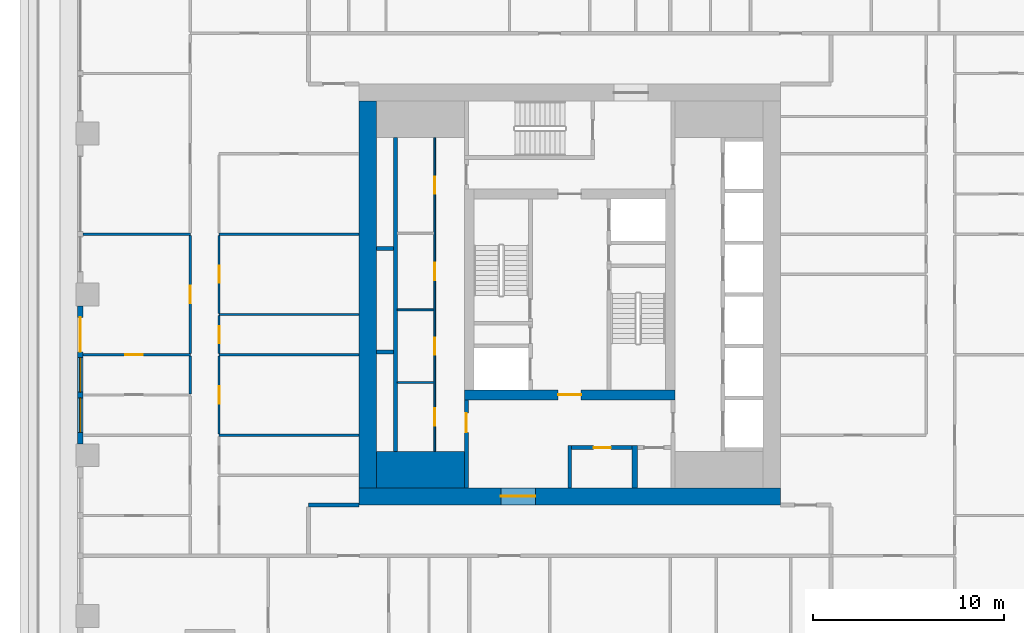
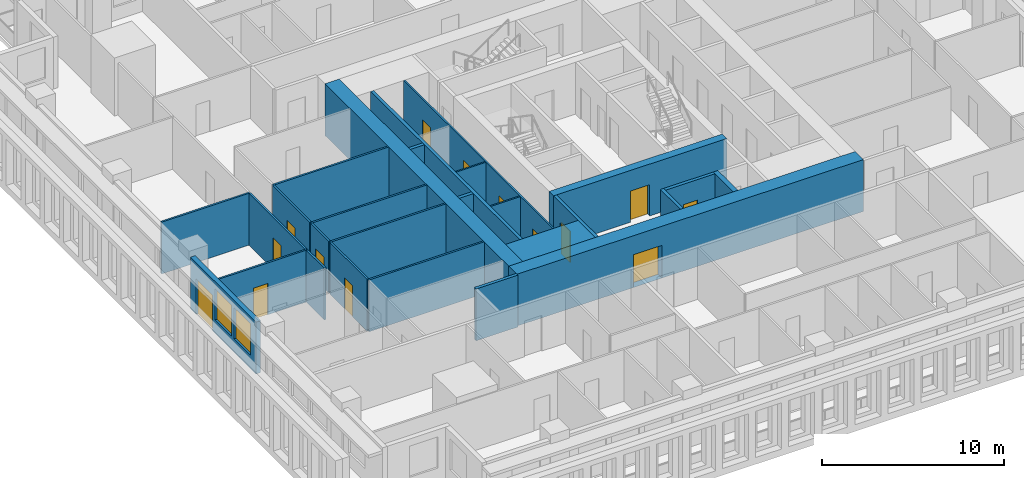
# One storey, part 3 of 16: 27 walls, 14 doors, 2 windows, 16 openings.
"""IFC4 building model written with IfcOpenShell, lengths in metres."""

from ifc_helpers import new_model, si_unit, direction, frame, frame_2d, origin, place, context, subcontext, project, spatial, rectangle, extrude, material, layer, layer_set, type_object, element, fill, save


model = new_model("IFC4")

# Units and contexts
model_context = context("Model", 3, precision=1e-05, world=origin(), true_north=direction((0.0, 1.0)))
body_context = subcontext(model_context, "Body", "Model", "MODEL_VIEW")
ifc_project = project(units=[si_unit("LENGTHUNIT", "METRE"), si_unit("AREAUNIT", "SQUARE_METRE"), si_unit("VOLUMEUNIT", "CUBIC_METRE"), si_unit("PLANEANGLEUNIT", "RADIAN"), si_unit("MASSUNIT", "GRAM", prefix="KILO")], contexts=[model_context])

# Site, building, storey
site_placement = place(None, origin())
site = spatial("IfcSite", under=ifc_project, at=site_placement, CompositionType="ELEMENT")
building_placement = place(site_placement, origin())
building = spatial("IfcBuilding", under=site, at=building_placement, Name="Khepri Terraces", CompositionType="ELEMENT")
storey_placement = place(building_placement, frame((0.0, 0.0, 157.199951171875)))
storey = spatial("IfcBuildingStorey", under=building, at=storey_placement, Name="L37", CompositionType="ELEMENT", Elevation=157.199951171875)

# Walls
ifc_material_1 = material(Name="Concrete C60/75", Category="concrete")
ifc_layer_1 = layer(ifc_material_1, 1.89990234375, Name="Concrete C60/75", Category="concrete")
ifc_layer_set_1 = layer_set([ifc_layer_1], Name="Concrete C60/75")
wall_type_1 = type_object("IfcWallType", Name="Core wall 1900 C60/75", PredefinedType="SHEAR", material=ifc_layer_set_1)
wall_1_placement = place(storey_placement, frame((-10.10009765625, -9.14990234375, 0.0), z_axis=(0.0, 0.0, 1.0), x_axis=(1.0, 0.0, 0.0)))
element("IfcWall", 1, at=wall_1_placement, inside=storey, type_object=wall_type_1, Name="Core wall PR01 L37", PredefinedType="SHEAR", context=body_context, shape_type="SweptSolid", body=[
    extrude(rectangle(XDim=4.60009765625, YDim=1.89990234375, at=frame_2d((2.300048828125, 0.0))), origin(), (0.0, 0.0, 1.0), 3.47998046875),
])
ifc_layer_2 = layer(ifc_material_1, 0.199951171875, Name="Concrete C60/75", Category="concrete")
ifc_layer_set_2 = layer_set([ifc_layer_2], Name="Concrete C60/75")
wall_type_2 = type_object("IfcWallType", Name="Core wall 200 C60/75", PredefinedType="SHEAR", material=ifc_layer_set_2)
wall_2_placement = place(storey_placement, frame((-9.10009765625, -8.199951171875, 0.0), z_axis=(0.0, 0.0, 1.0), x_axis=(0.0, 1.0, 0.0)))
element("IfcWall", 2, at=wall_2_placement, inside=storey, type_object=wall_type_2, Name="Core wall SH01 L37", PredefinedType="SHEAR", context=body_context, shape_type="SweptSolid", body=[
    extrude(rectangle(XDim=16.39990234375, YDim=0.199951171875, at=frame_2d((8.199951171875, 0.0))), origin(), (0.0, 0.0, 1.0), 3.47998046875),
])
for number, where, z_axis, x_axis, name in (
    (3, (-10.10009765625, -3.0, 0.0), (0.0, 0.0, 1.0), (1.0, 0.0, 0.0), "Core wall SH06 L37"),
    (4, (-10.10009765625, 2.39990234375, 0.0), (0.0, 0.0, 1.0), (1.0, 0.0, 0.0), "Core wall SH11 L37"),
):
    element("IfcWall", number, at=place(storey_placement, frame(where, z_axis=z_axis, x_axis=x_axis)), inside=storey, type_object=wall_type_2, Name=name, PredefinedType="SHEAR", context=body_context, shape_type="SweptSolid", body=[
        extrude(rectangle(XDim=0.900146484375, YDim=0.199951171875, at=frame_2d((0.4501953125, 0.0))), origin(), (0.0, 0.0, 1.0), 3.47998046875),
    ])

# Wall, opening, door
ifc_layer_3 = layer(ifc_material_1, 0.5, Name="Concrete C60/75", Category="concrete")
ifc_layer_set_3 = layer_set([ifc_layer_3], Name="Concrete C60/75")
wall_type_3 = type_object("IfcWallType", Name="Core wall 500 C60/75", PredefinedType="SHEAR", material=ifc_layer_set_3)
wall_3_placement = place(storey_placement, frame((-5.5, -5.25, 0.0), z_axis=(0.0, 0.0, 1.0), x_axis=(1.0, 0.0, 0.0)))
wall_3 = element("IfcWall", 5, at=wall_3_placement, inside=storey, type_object=wall_type_3, Name="Core wall BX01 L37", PredefinedType="SHEAR", context=body_context, shape_type="SweptSolid", body=[
    extrude(rectangle(XDim=11.0, YDim=0.5, at=frame_2d((5.5, 0.0))), origin(), (0.0, 0.0, 1.0), 3.47998046875),
])
opening_1_placement = place(wall_3_placement, frame((4.89990234375, 0.0, 0.0)))
opening_1 = element("IfcOpeningElement", 6, at=opening_1_placement, cuts=wall_3, Name="Opening L37-C14", PredefinedType="OPENING", context=body_context, shape_type="SweptSolid", body=[
    extrude(rectangle(XDim=1.199951171875, YDim=2.10009765625, at=frame_2d((0.60009765625, 1.050048828125))), frame((0.0, 0.260009765625, 0.0), z_axis=(0.0, -1.0, 0.0), x_axis=(1.0, 0.0, 0.0)), (0.0, 0.0, 1.0), 0.52001953125),
])
ifc_material_2 = material(Name="Painted steel", Category="steel")
door_type_1 = type_object("IfcDoorType", Name="DR-CORE-FF-LOBBY-1200", OperationType="NOTDEFINED", PredefinedType="DOOR", material=ifc_material_2)
door_1_placement = place(opening_1_placement, origin())
door_1 = element("IfcDoor", 7, at=door_1_placement, inside=storey, type_object=door_type_1, Name="Firefighting lobby door L37-C14", OperationType="SINGLE_SWING_RIGHT", OverallHeight=2.10009765625, OverallWidth=1.199951171875, PredefinedType="DOOR", context=body_context, shape_type="SweptSolid", body=[
    extrude(rectangle(XDim=1.199951171875, YDim=2.10009765625, at=frame_2d((0.60009765625, 1.050048828125))), frame((0.0, 0.02490234375, 0.0), z_axis=(0.0, -1.0, 0.0), x_axis=(1.0, 0.0, 0.0)), (0.0, 0.0, 1.0), 0.050048828125),
])
fill(opening_1, door_1)

ifc_layer_4 = layer(ifc_material_1, 0.89990234375, Name="Concrete C60/75", Category="concrete")
ifc_layer_set_4 = layer_set([ifc_layer_4], Name="Concrete C60/75")
wall_type_4 = type_object("IfcWallType", Name="Core wall 900 C60/75", PredefinedType="SHEAR", material=ifc_layer_set_4)
wall_4_placement = place(storey_placement, frame((-11.0, -10.550048828125, 0.0), z_axis=(0.0, 0.0, 1.0), x_axis=(1.0, 0.0, 0.0)))
wall_4 = element("IfcWall", 8, at=wall_4_placement, inside=storey, type_object=wall_type_4, Name="Core wall OW-S L37", PredefinedType="SHEAR", context=body_context, shape_type="SweptSolid", body=[
    extrude(rectangle(XDim=22.0, YDim=0.89990234375, at=frame_2d((11.0, 0.0))), origin(), (0.0, 0.0, 1.0), 3.47998046875),
])
opening_2_placement = place(wall_4_placement, frame((7.39990234375, 0.0, 0.0)))
opening_2 = element("IfcOpeningElement", 9, at=opening_2_placement, cuts=wall_4, Name="Opening L37-C21", PredefinedType="OPENING", context=body_context, shape_type="SweptSolid", body=[
    extrude(rectangle(XDim=1.800048828125, YDim=2.199951171875, at=frame_2d((0.89990234375, 1.10009765625))), frame((0.0, 0.4599609375, 0.0), z_axis=(0.0, -1.0, 0.0), x_axis=(1.0, 0.0, 0.0)), (0.0, 0.0, 1.0), 0.919921875),
])
door_type_2 = type_object("IfcDoorType", Name="DR-CORE-ENTRANCE-1800", OperationType="NOTDEFINED", PredefinedType="DOOR", material=ifc_material_2)
door_2_placement = place(opening_2_placement, frame((1.800048828125, 0.0, 0.0), z_axis=(0.0, 0.0, 1.0), x_axis=(-1.0, 0.0, 0.0)))
door_2 = element("IfcDoor", 10, at=door_2_placement, inside=storey, type_object=door_type_2, Name="Core entrance door pair L37-C21", OperationType="DOUBLE_DOOR_SINGLE_SWING", OverallHeight=2.199951171875, OverallWidth=1.800048828125, PredefinedType="DOOR", context=body_context, shape_type="SweptSolid", body=[
    extrude(rectangle(XDim=1.800048828125, YDim=2.199951171875, at=frame_2d((0.89990234375, 1.10009765625))), frame((0.0, 0.02490234375, 0.0), z_axis=(0.0, -1.0, 0.0), x_axis=(1.0, 0.0, 0.0)), (0.0, 0.0, 1.0), 0.050048828125),
])
fill(opening_2, door_2)

# Wall
wall_5_placement = place(storey_placement, frame((-10.550048828125, -10.10009765625, 0.0), z_axis=(0.0, 0.0, 1.0), x_axis=(0.0, 1.0, 0.0)))
element("IfcWall", 11, at=wall_5_placement, inside=storey, type_object=wall_type_4, Name="Core wall OW-W L37", PredefinedType="SHEAR", context=body_context, shape_type="SweptSolid", body=[
    extrude(rectangle(XDim=20.2001953125, YDim=0.89990234375, at=frame_2d((10.10009765625, 0.0))), origin(), (0.0, 0.0, 1.0), 3.47998046875),
])

# Wall, openings, doors
ifc_material_3 = material(Name="Fire-rated gypsum board partition")
ifc_layer_5 = layer(ifc_material_3, 0.10009765625, Name="Fire-rated gypsum board partition")
ifc_layer_set_5 = layer_set([ifc_layer_5], Name="Fire-rated gypsum board partition")
wall_type_5 = type_object("IfcWallType", Name="WL-CORE-PART-100", PredefinedType="PARTITIONING", material=ifc_layer_set_5)
wall_6_placement = place(storey_placement, frame((-7.050048828125, -8.199951171875, 0.0), z_axis=(0.0, 0.0, 1.0), x_axis=(0.0, 1.0, 0.0)))
wall_6 = element("IfcWall", 12, at=wall_6_placement, inside=storey, type_object=wall_type_5, Name="Core partition PT05 L37", PredefinedType="PARTITIONING", context=body_context, shape_type="SweptSolid", body=[
    extrude(rectangle(XDim=16.39990234375, YDim=0.10009765625, at=frame_2d((8.199951171875, 0.0))), origin(), (0.0, 0.0, 1.0), 3.47998046875),
])
opening_3_placement = place(wall_6_placement, frame((1.35009765625, 0.0, 0.0)))
opening_3 = element("IfcOpeningElement", 13, at=opening_3_placement, cuts=wall_6, Name="Opening L37-C24", PredefinedType="OPENING", context=body_context, shape_type="SweptSolid", body=[
    extrude(rectangle(XDim=0.89990234375, YDim=2.10009765625, at=frame_2d((0.449951171875, 1.050048828125))), frame((0.0, 0.06005859375, 0.0), z_axis=(0.0, -1.0, 0.0), x_axis=(1.0, 0.0, 0.0)), (0.0, 0.0, 1.0), 0.1201171875),
])
opening_4_placement = place(wall_6_placement, frame((5.050048828125, 0.0, 0.0)))
opening_4 = element("IfcOpeningElement", 14, at=opening_4_placement, cuts=wall_6, Name="Opening L37-C25", PredefinedType="OPENING", context=body_context, shape_type="SweptSolid", body=[
    extrude(rectangle(XDim=0.89990234375, YDim=2.10009765625, at=frame_2d((0.449951171875, 1.050048828125))), frame((0.0, 0.06005859375, 0.0), z_axis=(0.0, -1.0, 0.0), x_axis=(1.0, 0.0, 0.0)), (0.0, 0.0, 1.0), 0.1201171875),
])
opening_5_placement = place(wall_6_placement, frame((8.949951171875, 0.0, 0.0)))
opening_5 = element("IfcOpeningElement", 15, at=opening_5_placement, cuts=wall_6, Name="Opening L37-C26", PredefinedType="OPENING", context=body_context, shape_type="SweptSolid", body=[
    extrude(rectangle(XDim=0.89990234375, YDim=2.10009765625, at=frame_2d((0.449951171875, 1.050048828125))), frame((0.0, 0.06005859375, 0.0), z_axis=(0.0, -1.0, 0.0), x_axis=(1.0, 0.0, 0.0)), (0.0, 0.0, 1.0), 0.1201171875),
])
opening_6_placement = place(wall_6_placement, frame((13.449951171875, 0.0, 0.0)))
opening_6 = element("IfcOpeningElement", 16, at=opening_6_placement, cuts=wall_6, Name="Opening L37-C27", PredefinedType="OPENING", context=body_context, shape_type="SweptSolid", body=[
    extrude(rectangle(XDim=0.89990234375, YDim=2.10009765625, at=frame_2d((0.449951171875, 1.050048828125))), frame((0.0, 0.06005859375, 0.0), z_axis=(0.0, -1.0, 0.0), x_axis=(1.0, 0.0, 0.0)), (0.0, 0.0, 1.0), 0.1201171875),
])
door_type_3 = type_object("IfcDoorType", Name="DR-CORE-SERVICE-900", OperationType="NOTDEFINED", PredefinedType="DOOR", material=ifc_material_2)
door_3_placement = place(opening_3_placement, origin())
door_3 = element("IfcDoor", 17, at=door_3_placement, inside=storey, type_object=door_type_3, Name="Service room door L37-C24", OperationType="SINGLE_SWING_LEFT", OverallHeight=2.10009765625, OverallWidth=0.89990234375, PredefinedType="DOOR", context=body_context, shape_type="SweptSolid", body=[
    extrude(rectangle(XDim=0.89990234375, YDim=2.10009765625, at=frame_2d((0.449951171875, 1.050048828125))), frame((0.0, 0.02490234375, 0.0), z_axis=(0.0, -1.0, 0.0), x_axis=(1.0, 0.0, 0.0)), (0.0, 0.0, 1.0), 0.050048828125),
])
fill(opening_3, door_3)
door_4_placement = place(opening_4_placement, origin())
door_4 = element("IfcDoor", 18, at=door_4_placement, inside=storey, type_object=door_type_3, Name="Service room door L37-C25", OperationType="SINGLE_SWING_LEFT", OverallHeight=2.10009765625, OverallWidth=0.89990234375, PredefinedType="DOOR", context=body_context, shape_type="SweptSolid", body=[
    extrude(rectangle(XDim=0.89990234375, YDim=2.10009765625, at=frame_2d((0.449951171875, 1.050048828125))), frame((0.0, 0.02490234375, 0.0), z_axis=(0.0, -1.0, 0.0), x_axis=(1.0, 0.0, 0.0)), (0.0, 0.0, 1.0), 0.050048828125),
])
fill(opening_4, door_4)
door_5_placement = place(opening_5_placement, origin())
door_5 = element("IfcDoor", 19, at=door_5_placement, inside=storey, type_object=door_type_3, Name="Service room door L37-C26", OperationType="SINGLE_SWING_RIGHT", OverallHeight=2.10009765625, OverallWidth=0.89990234375, PredefinedType="DOOR", context=body_context, shape_type="SweptSolid", body=[
    extrude(rectangle(XDim=0.89990234375, YDim=2.10009765625, at=frame_2d((0.449951171875, 1.050048828125))), frame((0.0, 0.02490234375, 0.0), z_axis=(0.0, -1.0, 0.0), x_axis=(1.0, 0.0, 0.0)), (0.0, 0.0, 1.0), 0.050048828125),
])
fill(opening_5, door_5)
door_6_placement = place(opening_6_placement, origin())
door_6 = element("IfcDoor", 20, at=door_6_placement, inside=storey, type_object=door_type_3, Name="Service room door L37-C27", OperationType="SINGLE_SWING_RIGHT", OverallHeight=2.10009765625, OverallWidth=0.89990234375, PredefinedType="DOOR", context=body_context, shape_type="SweptSolid", body=[
    extrude(rectangle(XDim=0.89990234375, YDim=2.10009765625, at=frame_2d((0.449951171875, 1.050048828125))), frame((0.0, 0.02490234375, 0.0), z_axis=(0.0, -1.0, 0.0), x_axis=(1.0, 0.0, 0.0)), (0.0, 0.0, 1.0), 0.050048828125),
])
fill(opening_6, door_6)

# Walls
for number, where, z_axis, x_axis, name in (
    (21, (-9.0, -4.60009765625, 0.0), (0.0, 0.0, 1.0), (1.0, 0.0, 0.0), "Core partition PT08 L37"),
    (22, (-9.0, -0.800048828125, 0.0), (0.0, 0.0, 1.0), (1.0, 0.0, 0.0), "Core partition PT09 L37"),
):
    element("IfcWall", number, at=place(storey_placement, frame(where, z_axis=z_axis, x_axis=x_axis)), inside=storey, type_object=wall_type_5, Name=name, PredefinedType="PARTITIONING", context=body_context, shape_type="SweptSolid", body=[
        extrude(rectangle(XDim=1.89990234375, YDim=0.10009765625, at=frame_2d((0.949951171875, 0.0))), origin(), (0.0, 0.0, 1.0), 3.47998046875),
    ])

# Wall, opening, door
ifc_layer_6 = layer(ifc_material_3, 0.199951171875, Name="Fire-rated gypsum board partition")
ifc_layer_set_6 = layer_set([ifc_layer_6], Name="Fire-rated gypsum board partition")
wall_type_6 = type_object("IfcWallType", Name="WL-CORE-PART-200", PredefinedType="PARTITIONING", material=ifc_layer_set_6)
wall_7_placement = place(storey_placement, frame((-5.39990234375, -10.10009765625, 0.0), z_axis=(0.0, 0.0, 1.0), x_axis=(0.0, 1.0, 0.0)))
wall_7 = element("IfcWall", 23, at=wall_7_placement, inside=storey, type_object=wall_type_6, Name="Core partition PT01 L37", PredefinedType="PARTITIONING", context=body_context, shape_type="SweptSolid", body=[
    extrude(rectangle(XDim=4.60009765625, YDim=0.199951171875, at=frame_2d((2.300048828125, 0.0))), origin(), (0.0, 0.0, 1.0), 3.47998046875),
])
opening_7_placement = place(wall_7_placement, frame((2.89990234375, 0.0, 0.0)))
opening_7 = element("IfcOpeningElement", 24, at=opening_7_placement, cuts=wall_7, Name="Opening L37-C18", PredefinedType="OPENING", context=body_context, shape_type="SweptSolid", body=[
    extrude(rectangle(XDim=1.0, YDim=2.10009765625, at=frame_2d((0.5, 1.050048828125))), frame((0.0, 0.10986328125, 0.0), z_axis=(0.0, -1.0, 0.0), x_axis=(1.0, 0.0, 0.0)), (0.0, 0.0, 1.0), 0.219970703125),
])
door_type_4 = type_object("IfcDoorType", Name="DR-CORE-LOBBY-1000", OperationType="NOTDEFINED", PredefinedType="DOOR", material=ifc_material_2)
door_7_placement = place(opening_7_placement, frame((1.0, 0.0, 0.0), z_axis=(0.0, 0.0, 1.0), x_axis=(-1.0, 0.0, 0.0)))
door_7 = element("IfcDoor", 25, at=door_7_placement, inside=storey, type_object=door_type_4, Name="Lobby door L37-C18", OperationType="SINGLE_SWING_LEFT", OverallHeight=2.10009765625, OverallWidth=1.0, PredefinedType="DOOR", context=body_context, shape_type="SweptSolid", body=[
    extrude(rectangle(XDim=1.0, YDim=2.10009765625, at=frame_2d((0.5, 1.050048828125))), frame((0.0, 0.02490234375, 0.0), z_axis=(0.0, -1.0, 0.0), x_axis=(1.0, 0.0, 0.0)), (0.0, 0.0, 1.0), 0.050048828125),
])
fill(opening_7, door_7)

# Wall
wall_8_placement = place(storey_placement, frame((0.0, -10.10009765625, 0.0), z_axis=(0.0, 0.0, 1.0), x_axis=(0.0, 1.0, 0.0)))
element("IfcWall", 26, at=wall_8_placement, inside=storey, type_object=wall_type_6, Name="Core partition PT02 L37", PredefinedType="PARTITIONING", context=body_context, shape_type="SweptSolid", body=[
    extrude(rectangle(XDim=2.2001953125, YDim=0.199951171875, at=frame_2d((1.10009765625, 0.0))), origin(), (0.0, 0.0, 1.0), 3.47998046875),
])

# Wall, opening, door
wall_9_placement = place(storey_placement, frame((0.10009765625, -8.0, 0.0), z_axis=(0.0, 0.0, 1.0), x_axis=(1.0, 0.0, 0.0)))
wall_9 = element("IfcWall", 27, at=wall_9_placement, inside=storey, type_object=wall_type_6, Name="Core partition PT06 L37", PredefinedType="PARTITIONING", context=body_context, shape_type="SweptSolid", body=[
    extrude(rectangle(XDim=3.14990234375, YDim=0.199951171875, at=frame_2d((1.574951171875, 0.0))), origin(), (0.0, 0.0, 1.0), 3.47998046875),
])
opening_8_placement = place(wall_9_placement, frame((1.14990234375, 0.0, 0.0)))
opening_8 = element("IfcOpeningElement", 28, at=opening_8_placement, cuts=wall_9, Name="Opening L37-C22", PredefinedType="OPENING", context=body_context, shape_type="SweptSolid", body=[
    extrude(rectangle(XDim=0.89990234375, YDim=2.10009765625, at=frame_2d((0.449951171875, 1.050048828125))), frame((0.0, 0.10986328125, 0.0), z_axis=(0.0, -1.0, 0.0), x_axis=(1.0, 0.0, 0.0)), (0.0, 0.0, 1.0), 0.219970703125),
])
door_8_placement = place(opening_8_placement, frame((0.89990234375, 0.0, 0.0), z_axis=(0.0, 0.0, 1.0), x_axis=(-1.0, 0.0, 0.0)))
door_8 = element("IfcDoor", 29, at=door_8_placement, inside=storey, type_object=door_type_3, Name="Service room door L37-C22", OperationType="SINGLE_SWING_LEFT", OverallHeight=2.10009765625, OverallWidth=0.89990234375, PredefinedType="DOOR", context=body_context, shape_type="SweptSolid", body=[
    extrude(rectangle(XDim=0.89990234375, YDim=2.10009765625, at=frame_2d((0.449951171875, 1.050048828125))), frame((0.0, 0.02490234375, 0.0), z_axis=(0.0, -1.0, 0.0), x_axis=(1.0, 0.0, 0.0)), (0.0, 0.0, 1.0), 0.050048828125),
])
fill(opening_8, door_8)

# Walls
ifc_layer_7 = layer(ifc_material_3, 0.300048828125, Name="Fire-rated gypsum board partition")
ifc_layer_set_7 = layer_set([ifc_layer_7], Name="Fire-rated gypsum board partition")
wall_type_7 = type_object("IfcWallType", Name="WL-CORE-PART-300", PredefinedType="PARTITIONING", material=ifc_layer_set_7)
wall_10_placement = place(storey_placement, frame((3.39990234375, -10.10009765625, 0.0), z_axis=(0.0, 0.0, 1.0), x_axis=(0.0, 1.0, 0.0)))
element("IfcWall", 30, at=wall_10_placement, inside=storey, type_object=wall_type_7, Name="Core partition PT03 L37", PredefinedType="PARTITIONING", context=body_context, shape_type="SweptSolid", body=[
    extrude(rectangle(XDim=2.2001953125, YDim=0.300048828125, at=frame_2d((1.10009765625, 0.0))), origin(), (0.0, 0.0, 1.0), 3.47998046875),
])
ifc_material_4 = material(Name="Fire-rated gypsum plasterboard partition, mineral wool")
ifc_layer_8 = layer(ifc_material_4, 0.199951171875, Name="Fire-rated gypsum plasterboard partition, mineral wool")
ifc_layer_set_8 = layer_set([ifc_layer_8], Name="Fire-rated gypsum plasterboard partition, mineral wool")
wall_type_8 = type_object("IfcWallType", Name="WL-CORR-200", PredefinedType="PARTITIONING", material=ifc_layer_set_8)
wall_11_placement = place(storey_placement, frame((-13.64990234375, -11.0, 0.0), z_axis=(0.0, 0.0, 1.0), x_axis=(1.0, 0.0, 0.0)))
element("IfcWall", 31, at=wall_11_placement, inside=storey, type_object=wall_type_8, Name="Partition P-034 L37", PredefinedType="PARTITIONING", context=body_context, shape_type="SweptSolid", body=[
    extrude(rectangle(XDim=2.64990234375, YDim=0.199951171875, at=frame_2d((1.324951171875, 0.0))), origin(), (0.0, 0.0, 1.0), 3.47998046875),
])

# Wall, openings, door, windows
ifc_material_5 = material(Name="Precast concrete C50/60 warm stone", Category="masonry")
ifc_layer_9 = layer(ifc_material_5, 0.300048828125, Name="Precast concrete C50/60 warm stone", Category="masonry")
ifc_layer_set_9 = layer_set([ifc_layer_9], Name="Precast concrete C50/60 warm stone")
wall_type_9 = type_object("IfcWallType", Name="WL-EXT-PRECAST-300", PredefinedType="STANDARD", material=ifc_layer_set_9)
wall_12_placement = place(storey_placement, frame((-25.570068359375, -0.60009765625, 0.0), z_axis=(0.0, 0.0, 1.0), x_axis=(0.0, -1.0, 0.0)))
wall_12 = element("IfcWall", 32, at=wall_12_placement, inside=storey, type_object=wall_type_9, Name="External wall L37 W", PredefinedType="STANDARD", context=body_context, shape_type="SweptSolid", body=[
    extrude(rectangle(XDim=7.199951171875, YDim=0.300048828125, at=frame_2d((3.60009765625, 0.0))), origin(), (0.0, 0.0, 1.0), 3.47998046875),
])
opening_9_placement = place(wall_12_placement, frame((0.60009765625, 0.0, 0.0)))
opening_9 = element("IfcOpeningElement", 33, at=opening_9_placement, cuts=wall_12, Name="Opening ED-L37-19", PredefinedType="OPENING", context=body_context, shape_type="SweptSolid", body=[
    extrude(rectangle(XDim=1.800048828125, YDim=2.39990234375, at=frame_2d((0.89990234375, 1.199951171875))), frame((0.0, 0.16015625, 0.0), z_axis=(0.0, -1.0, 0.0), x_axis=(1.0, 0.0, 0.0)), (0.0, 0.0, 1.0), 0.320068359375),
])
opening_10_placement = place(wall_12_placement, frame((2.699951171875, 0.0, 0.89990234375)))
opening_10 = element("IfcOpeningElement", 34, at=opening_10_placement, cuts=wall_12, Name="Opening W1", PredefinedType="OPENING", context=body_context, shape_type="SweptSolid", body=[
    extrude(rectangle(XDim=1.800048828125, YDim=2.10009765625, at=frame_2d((0.89990234375, 1.050048828125))), frame((0.0, 0.16015625, 0.0), z_axis=(0.0, -1.0, 0.0), x_axis=(1.0, 0.0, 0.0)), (0.0, 0.0, 1.0), 0.320068359375),
])
opening_11_placement = place(wall_12_placement, frame((4.800048828125, 0.0, 0.89990234375)))
opening_11 = element("IfcOpeningElement", 35, at=opening_11_placement, cuts=wall_12, Name="Opening W1", PredefinedType="OPENING", context=body_context, shape_type="SweptSolid", body=[
    extrude(rectangle(XDim=1.800048828125, YDim=2.10009765625, at=frame_2d((0.89990234375, 1.050048828125))), frame((0.0, 0.16015625, 0.0), z_axis=(0.0, -1.0, 0.0), x_axis=(1.0, 0.0, 0.0)), (0.0, 0.0, 1.0), 0.320068359375),
])
ifc_material_6 = material(Name="Anodised aluminium bronze glazed door", Category="aluminium")
door_type_5 = type_object("IfcDoorType", Name="DR-BAL-SLIDE-1800x2400", OperationType="NOTDEFINED", PredefinedType="DOOR", material=ifc_material_6)
door_9_placement = place(opening_9_placement, origin())
door_9 = element("IfcDoor", 36, at=door_9_placement, inside=storey, type_object=door_type_5, Name="Balcony door L37 W", OperationType="SLIDING_TO_LEFT", OverallHeight=2.39990234375, OverallWidth=1.800048828125, PredefinedType="DOOR", context=body_context, shape_type="SweptSolid", body=[
    extrude(rectangle(XDim=1.800048828125, YDim=2.39990234375, at=frame_2d((0.89990234375, 1.199951171875))), frame((0.0, 0.02490234375, 0.0), z_axis=(0.0, -1.0, 0.0), x_axis=(1.0, 0.0, 0.0)), (0.0, 0.0, 1.0), 0.050048828125),
])
fill(opening_9, door_9)
ifc_material_7 = material(Name="Clear glass", Category="glass")
window_type = type_object("IfcWindowType", Name="WIN-RES-1800x2100", PartitioningType="SINGLE_PANEL", PredefinedType="WINDOW", material=ifc_material_7)
window_1_placement = place(opening_10_placement, origin())
window_1 = element("IfcWindow", 37, at=window_1_placement, inside=storey, type_object=window_type, Name="Window L37 W", OverallHeight=2.10009765625, OverallWidth=1.800048828125, PartitioningType="SINGLE_PANEL", PredefinedType="WINDOW", context=body_context, shape_type="SweptSolid", body=[
    extrude(rectangle(XDim=1.800048828125, YDim=2.10009765625, at=frame_2d((0.89990234375, 1.050048828125))), frame((0.0, 0.030029296875, 0.0), z_axis=(0.0, -1.0, 0.0), x_axis=(1.0, 0.0, 0.0)), (0.0, 0.0, 1.0), 0.06005859375),
])
fill(opening_10, window_1)
window_2_placement = place(opening_11_placement, origin())
window_2 = element("IfcWindow", 38, at=window_2_placement, inside=storey, type_object=window_type, Name="Window L37 W", OverallHeight=2.10009765625, OverallWidth=1.800048828125, PartitioningType="SINGLE_PANEL", PredefinedType="WINDOW", context=body_context, shape_type="SweptSolid", body=[
    extrude(rectangle(XDim=1.800048828125, YDim=2.10009765625, at=frame_2d((0.89990234375, 1.050048828125))), frame((0.0, 0.030029296875, 0.0), z_axis=(0.0, -1.0, 0.0), x_axis=(1.0, 0.0, 0.0)), (0.0, 0.0, 1.0), 0.06005859375),
])
fill(opening_11, window_2)

# Wall
ifc_material_8 = material(Name="Gypsum plasterboard partition")
ifc_layer_10 = layer(ifc_material_8, 0.1201171875, Name="Gypsum plasterboard partition")
ifc_layer_set_10 = layer_set([ifc_layer_10], Name="Gypsum plasterboard partition")
wall_type_10 = type_object("IfcWallType", Name="WL-PART-120", PredefinedType="PARTITIONING", material=ifc_layer_set_10)
wall_13_placement = place(storey_placement, frame((-18.320068359375, -7.35009765625, 0.0), z_axis=(0.0, 0.0, 1.0), x_axis=(1.0, 0.0, 0.0)))
element("IfcWall", 39, at=wall_13_placement, inside=storey, type_object=wall_type_10, Name="Partition P-039 L37", PredefinedType="PARTITIONING", context=body_context, shape_type="SweptSolid", body=[
    extrude(rectangle(XDim=7.320068359375, YDim=0.1201171875, at=frame_2d((3.66015625, 0.0))), origin(), (0.0, 0.0, 1.0), 3.47998046875),
])

# Wall, opening, door
wall_14_placement = place(storey_placement, frame((-18.320068359375, -7.2900390625, 0.0), z_axis=(0.0, 0.0, 1.0), x_axis=(0.0, 1.0, 0.0)))
wall_14 = element("IfcWall", 40, at=wall_14_placement, inside=storey, type_object=wall_type_10, Name="Partition P-042 L37", PredefinedType="PARTITIONING", context=body_context, shape_type="SweptSolid", body=[
    extrude(rectangle(XDim=4.080078125, YDim=0.1201171875, at=frame_2d((2.0400390625, 0.0))), origin(), (0.0, 0.0, 1.0), 3.47998046875),
])
opening_12_placement = place(wall_14_placement, frame((1.590087890625, 0.0, 0.0)))
opening_12 = element("IfcOpeningElement", 41, at=opening_12_placement, cuts=wall_14, Name="Opening D3", PredefinedType="OPENING", context=body_context, shape_type="SweptSolid", body=[
    extrude(rectangle(XDim=0.89990234375, YDim=2.10009765625, at=frame_2d((0.449951171875, 1.050048828125))), frame((0.0, 0.070068359375, 0.0), z_axis=(0.0, -1.0, 0.0), x_axis=(1.0, 0.0, 0.0)), (0.0, 0.0, 1.0), 0.14013671875),
])
ifc_material_9 = material(Name="Timber door leaf", Category="wood")
door_type_6 = type_object("IfcDoorType", Name="DR-INT-900", OperationType="NOTDEFINED", PredefinedType="DOOR", material=ifc_material_9)
door_10_placement = place(opening_12_placement, frame((0.89990234375, 0.0, 0.0), z_axis=(0.0, 0.0, 1.0), x_axis=(-1.0, 0.0, 0.0)))
door_10 = element("IfcDoor", 42, at=door_10_placement, inside=storey, type_object=door_type_6, Name="Door Staff Bedroom", OperationType="SINGLE_SWING_LEFT", OverallHeight=2.10009765625, OverallWidth=0.89990234375, PredefinedType="DOOR", context=body_context, shape_type="SweptSolid", body=[
    extrude(rectangle(XDim=0.89990234375, YDim=2.10009765625, at=frame_2d((0.449951171875, 1.050048828125))), frame((0.0, 0.02490234375, 0.0), z_axis=(0.0, -1.0, 0.0), x_axis=(1.0, 0.0, 0.0)), (0.0, 0.0, 1.0), 0.050048828125),
])
fill(opening_12, door_10)

# Wall
wall_15_placement = place(storey_placement, frame((-19.820068359375, -5.18994140625, 0.0), z_axis=(0.0, 0.0, 1.0), x_axis=(0.0, 1.0, 0.0)))
element("IfcWall", 43, at=wall_15_placement, inside=storey, type_object=wall_type_10, Name="Partition P-045 L37", PredefinedType="PARTITIONING", context=body_context, shape_type="SweptSolid", body=[
    extrude(rectangle(XDim=1.97998046875, YDim=0.1201171875, at=frame_2d((0.989990234375, 0.0))), origin(), (0.0, 0.0, 1.0), 3.47998046875),
])

# Wall, opening, door
wall_16_placement = place(storey_placement, frame((-25.419921875, -3.14990234375, 0.0), z_axis=(0.0, 0.0, 1.0), x_axis=(1.0, 0.0, 0.0)))
wall_16 = element("IfcWall", 44, at=wall_16_placement, inside=storey, type_object=wall_type_10, Name="Partition P-046 L37", PredefinedType="PARTITIONING", context=body_context, shape_type="SweptSolid", body=[
    extrude(rectangle(XDim=5.599853515625, YDim=0.1201171875, at=frame_2d((2.7998046875, 0.0))), origin(), (0.0, 0.0, 1.0), 3.47998046875),
])
opening_13_placement = place(wall_16_placement, frame((2.199951171875, 0.0, 0.0)))
opening_13 = element("IfcOpeningElement", 45, at=opening_13_placement, cuts=wall_16, Name="Opening D3", PredefinedType="OPENING", context=body_context, shape_type="SweptSolid", body=[
    extrude(rectangle(XDim=0.89990234375, YDim=2.10009765625, at=frame_2d((0.449951171875, 1.050048828125))), frame((0.0, 0.070068359375, 0.0), z_axis=(0.0, -1.0, 0.0), x_axis=(1.0, 0.0, 0.0)), (0.0, 0.0, 1.0), 0.14013671875),
])
door_11_placement = place(opening_13_placement, frame((0.89990234375, 0.0, 0.0), z_axis=(0.0, 0.0, 1.0), x_axis=(-1.0, 0.0, 0.0)))
door_11 = element("IfcDoor", 46, at=door_11_placement, inside=storey, type_object=door_type_6, Name="Door Dressing Room", OperationType="SINGLE_SWING_RIGHT", OverallHeight=2.10009765625, OverallWidth=0.89990234375, PredefinedType="DOOR", context=body_context, shape_type="SweptSolid", body=[
    extrude(rectangle(XDim=0.89990234375, YDim=2.10009765625, at=frame_2d((0.449951171875, 1.050048828125))), frame((0.0, 0.02490234375, 0.0), z_axis=(0.0, -1.0, 0.0), x_axis=(1.0, 0.0, 0.0)), (0.0, 0.0, 1.0), 0.050048828125),
])
fill(opening_13, door_11)

# Wall
wall_17_placement = place(storey_placement, frame((-18.320068359375, -3.14990234375, 0.0), z_axis=(0.0, 0.0, 1.0), x_axis=(1.0, 0.0, 0.0)))
element("IfcWall", 47, at=wall_17_placement, inside=storey, type_object=wall_type_10, Name="Partition P-047 L37", PredefinedType="PARTITIONING", context=body_context, shape_type="SweptSolid", body=[
    extrude(rectangle(XDim=7.320068359375, YDim=0.1201171875, at=frame_2d((3.66015625, 0.0))), origin(), (0.0, 0.0, 1.0), 3.47998046875),
])

# Wall, opening, door
wall_18_placement = place(storey_placement, frame((-19.820068359375, -3.090087890625, 0.0), z_axis=(0.0, 0.0, 1.0), x_axis=(0.0, 1.0, 0.0)))
wall_18 = element("IfcWall", 48, at=wall_18_placement, inside=storey, type_object=wall_type_10, Name="Partition P-050 L37", PredefinedType="PARTITIONING", context=body_context, shape_type="SweptSolid", body=[
    extrude(rectangle(XDim=6.18017578125, YDim=0.1201171875, at=frame_2d((3.090087890625, 0.0))), origin(), (0.0, 0.0, 1.0), 3.47998046875),
])
opening_14_placement = place(wall_18_placement, frame((2.639892578125, 0.0, 0.0)))
opening_14 = element("IfcOpeningElement", 49, at=opening_14_placement, cuts=wall_18, Name="Opening D3", PredefinedType="OPENING", context=body_context, shape_type="SweptSolid", body=[
    extrude(rectangle(XDim=0.89990234375, YDim=2.10009765625, at=frame_2d((0.449951171875, 1.050048828125))), frame((0.0, 0.070068359375, 0.0), z_axis=(0.0, -1.0, 0.0), x_axis=(1.0, 0.0, 0.0)), (0.0, 0.0, 1.0), 0.14013671875),
])
door_12_placement = place(opening_14_placement, origin())
door_12 = element("IfcDoor", 50, at=door_12_placement, inside=storey, type_object=door_type_6, Name="Door Master Bedroom", OperationType="SINGLE_SWING_RIGHT", OverallHeight=2.10009765625, OverallWidth=0.89990234375, PredefinedType="DOOR", context=body_context, shape_type="SweptSolid", body=[
    extrude(rectangle(XDim=0.89990234375, YDim=2.10009765625, at=frame_2d((0.449951171875, 1.050048828125))), frame((0.0, 0.02490234375, 0.0), z_axis=(0.0, -1.0, 0.0), x_axis=(1.0, 0.0, 0.0)), (0.0, 0.0, 1.0), 0.050048828125),
])
fill(opening_14, door_12)

wall_19_placement = place(storey_placement, frame((-18.320068359375, -3.090087890625, 0.0), z_axis=(0.0, 0.0, 1.0), x_axis=(0.0, 1.0, 0.0)))
wall_19 = element("IfcWall", 51, at=wall_19_placement, inside=storey, type_object=wall_type_10, Name="Partition P-051 L37", PredefinedType="PARTITIONING", context=body_context, shape_type="SweptSolid", body=[
    extrude(rectangle(XDim=1.97998046875, YDim=0.1201171875, at=frame_2d((0.989990234375, 0.0))), origin(), (0.0, 0.0, 1.0), 3.47998046875),
])
opening_15_placement = place(wall_19_placement, frame((0.5400390625, 0.0, 0.0)))
opening_15 = element("IfcOpeningElement", 52, at=opening_15_placement, cuts=wall_19, Name="Opening D4", PredefinedType="OPENING", context=body_context, shape_type="SweptSolid", body=[
    extrude(rectangle(XDim=0.89990234375, YDim=2.10009765625, at=frame_2d((0.449951171875, 1.050048828125))), frame((0.0, 0.070068359375, 0.0), z_axis=(0.0, -1.0, 0.0), x_axis=(1.0, 0.0, 0.0)), (0.0, 0.0, 1.0), 0.14013671875),
])
ifc_material_10 = material(Name="Timber door leaf, moisture resistant", Category="wood")
door_type_7 = type_object("IfcDoorType", Name="DR-WET-900", OperationType="NOTDEFINED", PredefinedType="DOOR", material=ifc_material_10)
door_13_placement = place(opening_15_placement, frame((0.89990234375, 0.0, 0.0), z_axis=(0.0, 0.0, 1.0), x_axis=(-1.0, 0.0, 0.0)))
door_13 = element("IfcDoor", 53, at=door_13_placement, inside=storey, type_object=door_type_7, Name="Door Powder Room", OperationType="SINGLE_SWING_RIGHT", OverallHeight=2.10009765625, OverallWidth=0.89990234375, PredefinedType="DOOR", context=body_context, shape_type="SweptSolid", body=[
    extrude(rectangle(XDim=0.89990234375, YDim=2.10009765625, at=frame_2d((0.449951171875, 1.050048828125))), frame((0.0, 0.02490234375, 0.0), z_axis=(0.0, -1.0, 0.0), x_axis=(1.0, 0.0, 0.0)), (0.0, 0.0, 1.0), 0.050048828125),
])
fill(opening_15, door_13)

# Wall
wall_20_placement = place(storey_placement, frame((-18.320068359375, -1.050048828125, 0.0), z_axis=(0.0, 0.0, 1.0), x_axis=(1.0, 0.0, 0.0)))
element("IfcWall", 54, at=wall_20_placement, inside=storey, type_object=wall_type_10, Name="Partition P-054 L37", PredefinedType="PARTITIONING", context=body_context, shape_type="SweptSolid", body=[
    extrude(rectangle(XDim=7.320068359375, YDim=0.1201171875, at=frame_2d((3.66015625, 0.0))), origin(), (0.0, 0.0, 1.0), 3.47998046875),
])

# Wall, opening, door
wall_21_placement = place(storey_placement, frame((-18.320068359375, -0.989990234375, 0.0), z_axis=(0.0, 0.0, 1.0), x_axis=(0.0, 1.0, 0.0)))
wall_21 = element("IfcWall", 55, at=wall_21_placement, inside=storey, type_object=wall_type_10, Name="Partition P-055 L37", PredefinedType="PARTITIONING", context=body_context, shape_type="SweptSolid", body=[
    extrude(rectangle(XDim=4.080078125, YDim=0.1201171875, at=frame_2d((2.0400390625, 0.0))), origin(), (0.0, 0.0, 1.0), 3.47998046875),
])
opening_16_placement = place(wall_21_placement, frame((1.590087890625, 0.0, 0.0)))
opening_16 = element("IfcOpeningElement", 56, at=opening_16_placement, cuts=wall_21, Name="Opening D3", PredefinedType="OPENING", context=body_context, shape_type="SweptSolid", body=[
    extrude(rectangle(XDim=0.89990234375, YDim=2.10009765625, at=frame_2d((0.449951171875, 1.050048828125))), frame((0.0, 0.070068359375, 0.0), z_axis=(0.0, -1.0, 0.0), x_axis=(1.0, 0.0, 0.0)), (0.0, 0.0, 1.0), 0.14013671875),
])
door_14_placement = place(opening_16_placement, frame((0.89990234375, 0.0, 0.0), z_axis=(0.0, 0.0, 1.0), x_axis=(-1.0, 0.0, 0.0)))
door_14 = element("IfcDoor", 57, at=door_14_placement, inside=storey, type_object=door_type_6, Name="Door Utility Room", OperationType="SINGLE_SWING_LEFT", OverallHeight=2.10009765625, OverallWidth=0.89990234375, PredefinedType="DOOR", context=body_context, shape_type="SweptSolid", body=[
    extrude(rectangle(XDim=0.89990234375, YDim=2.10009765625, at=frame_2d((0.449951171875, 1.050048828125))), frame((0.0, 0.02490234375, 0.0), z_axis=(0.0, -1.0, 0.0), x_axis=(1.0, 0.0, 0.0)), (0.0, 0.0, 1.0), 0.050048828125),
])
fill(opening_16, door_14)

# Walls
wall_22_placement = place(storey_placement, frame((-25.419921875, 3.14990234375, 0.0), z_axis=(0.0, 0.0, 1.0), x_axis=(1.0, 0.0, 0.0)))
element("IfcWall", 58, at=wall_22_placement, inside=storey, type_object=wall_type_10, Name="Partition P-058 L37", PredefinedType="PARTITIONING", context=body_context, shape_type="SweptSolid", body=[
    extrude(rectangle(XDim=5.599853515625, YDim=0.1201171875, at=frame_2d((2.7998046875, 0.0))), origin(), (0.0, 0.0, 1.0), 3.47998046875),
])
wall_23_placement = place(storey_placement, frame((-18.320068359375, 3.14990234375, 0.0), z_axis=(0.0, 0.0, 1.0), x_axis=(1.0, 0.0, 0.0)))
element("IfcWall", 59, at=wall_23_placement, inside=storey, type_object=wall_type_10, Name="Partition P-059 L37", PredefinedType="PARTITIONING", context=body_context, shape_type="SweptSolid", body=[
    extrude(rectangle(XDim=7.320068359375, YDim=0.1201171875, at=frame_2d((3.66015625, 0.0))), origin(), (0.0, 0.0, 1.0), 3.47998046875),
])

save(model, "model.ifc")
